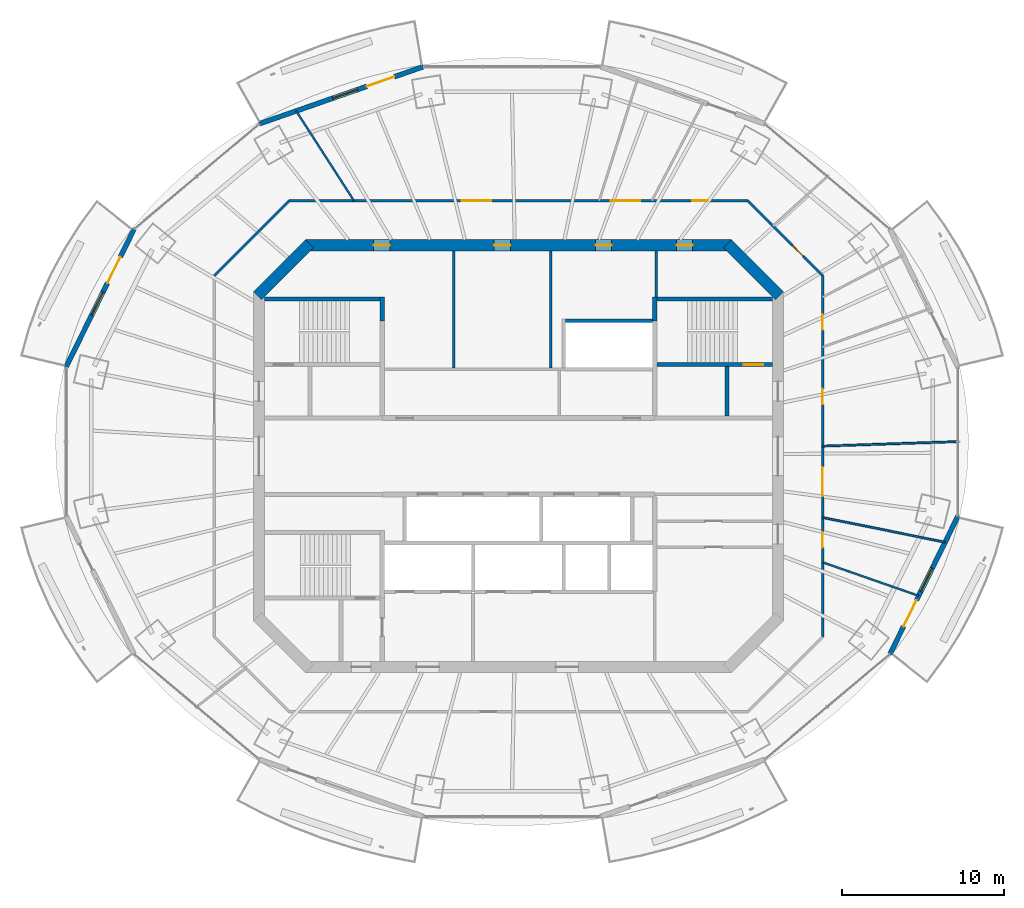
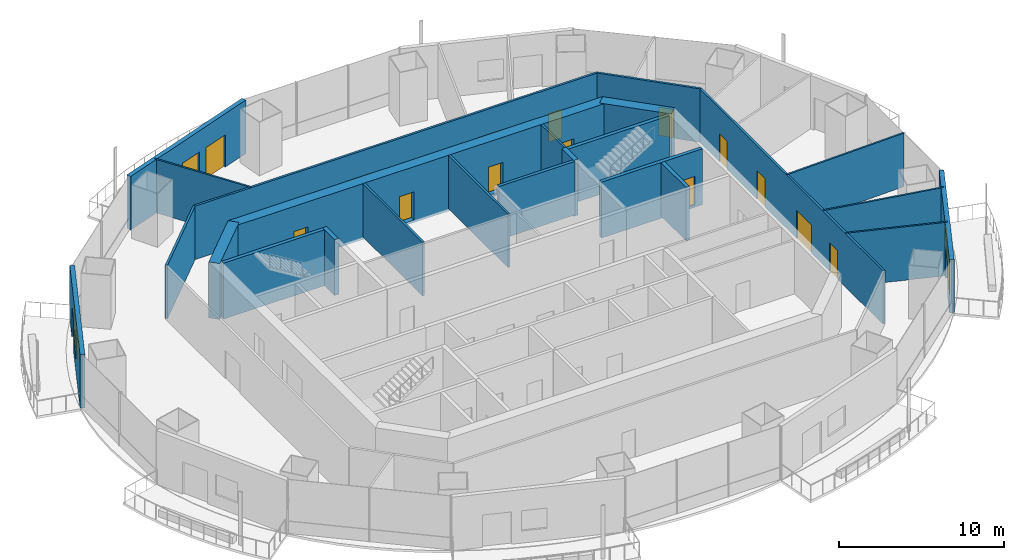
# One storey, part 10 of 16: 24 walls, 16 doors, 3 windows, 19 openings.
"""IFC4 building model written with IfcOpenShell, lengths in metres."""

from ifc_helpers import new_model, si_unit, direction, frame, frame_2d, origin, place, context, subcontext, project, spatial, rectangle, extrude, material, layer, layer_set, type_object, element, fill, save


model = new_model("IFC4")

# Units and contexts
model_context = context("Model", 3, precision=1e-05, world=origin(), true_north=direction((0.0, 1.0)))
body_context = subcontext(model_context, "Body", "Model", "MODEL_VIEW")
ifc_project = project(units=[si_unit("LENGTHUNIT", "METRE"), si_unit("AREAUNIT", "SQUARE_METRE"), si_unit("VOLUMEUNIT", "CUBIC_METRE"), si_unit("PLANEANGLEUNIT", "RADIAN"), si_unit("MASSUNIT", "GRAM", prefix="KILO")], contexts=[model_context])

# Site, building, storey
site_placement = place(None, origin())
site = spatial("IfcSite", under=ifc_project, at=site_placement, CompositionType="ELEMENT")
building_placement = place(site_placement, origin())
building = spatial("IfcBuilding", under=site, at=building_placement, Name="Marenthal Gate Tower", CompositionType="ELEMENT")
storey_placement = place(building_placement, frame((0.0, 0.0, 309.39990234375)))
storey = spatial("IfcBuildingStorey", under=building, at=storey_placement, Name="L69", CompositionType="ELEMENT", Elevation=309.39990234375)

# Wall
ifc_material_1 = material(Name="Concrete 60 MPa", Category="concrete")
ifc_layer_1 = layer(ifc_material_1, 0.699951171875)
ifc_layer_set_1 = layer_set([ifc_layer_1], Name="Core shear wall 700")
wall_type_1 = type_object("IfcWallType", Name="Core shear wall 700", PredefinedType="SHEAR", material=ifc_layer_set_1)
wall_1_placement = place(storey_placement, frame((16.1025390625, 9.8974609375, -0.179931640625), z_axis=(0.0, 0.0, 1.0), x_axis=(-0.707106781187, 0.707106781187, 0.0)))
element("IfcWall", 1, at=wall_1_placement, inside=storey, type_object=wall_type_1, Name="Core wall 03", PredefinedType="SHEAR", context=body_context, shape_type="SweptSolid", body=[
    extrude(rectangle(XDim=4.53271484375, YDim=0.699951171875, at=frame_2d((2.266357421875, 0.0))), origin(), (0.0, 0.0, 1.0), 4.150146484375),
])

# Wall, openings, doors
wall_2_placement = place(storey_placement, frame((13.14501953125, 13.0, -0.179931640625), z_axis=(0.0, 0.0, 1.0), x_axis=(-1.0, 0.0, 0.0)))
wall_2 = element("IfcWall", 2, at=wall_2_placement, inside=storey, type_object=wall_type_1, Name="Core wall 04", PredefinedType="SHEAR", context=body_context, shape_type="SweptSolid", body=[
    extrude(rectangle(XDim=26.2900390625, YDim=0.699951171875, at=frame_2d((13.14501953125, 0.0))), origin(), (0.0, 0.0, 1.0), 4.150146484375),
])
opening_1_placement = place(wall_2_placement, frame((21.07275390625, 0.0, 0.179931640625)))
opening_1 = element("IfcOpeningElement", 3, at=opening_1_placement, cuts=wall_2, Name="Opening D005.03", PredefinedType="OPENING", context=body_context, shape_type="SweptSolid", body=[
    extrude(rectangle(XDim=1.0, YDim=2.10009765625, at=frame_2d((0.5, 1.050048828125))), frame((0.0, 0.35986328125, 0.0), z_axis=(0.0, -1.0, 0.0), x_axis=(1.0, 0.0, 0.0)), (0.0, 0.0, 1.0), 0.719970703125),
])
opening_2_placement = place(wall_2_placement, frame((13.64501953125, 0.0, 0.179931640625)))
opening_2 = element("IfcOpeningElement", 4, at=opening_2_placement, cuts=wall_2, Name="Opening D005.04", PredefinedType="OPENING", context=body_context, shape_type="SweptSolid", body=[
    extrude(rectangle(XDim=1.0, YDim=2.10009765625, at=frame_2d((0.5, 1.050048828125))), frame((0.0, 0.35986328125, 0.0), z_axis=(0.0, -1.0, 0.0), x_axis=(1.0, 0.0, 0.0)), (0.0, 0.0, 1.0), 0.719970703125),
])
opening_3_placement = place(wall_2_placement, frame((7.39501953125, 0.0, 0.179931640625)))
opening_3 = element("IfcOpeningElement", 5, at=opening_3_placement, cuts=wall_2, Name="Opening D005.05", PredefinedType="OPENING", context=body_context, shape_type="SweptSolid", body=[
    extrude(rectangle(XDim=1.0, YDim=2.10009765625, at=frame_2d((0.5, 1.050048828125))), frame((0.0, 0.35986328125, 0.0), z_axis=(0.0, -1.0, 0.0), x_axis=(1.0, 0.0, 0.0)), (0.0, 0.0, 1.0), 0.719970703125),
])
opening_4_placement = place(wall_2_placement, frame((2.39990234375, 0.0, 0.179931640625)))
opening_4 = element("IfcOpeningElement", 6, at=opening_4_placement, cuts=wall_2, Name="Opening D005.06", PredefinedType="OPENING", context=body_context, shape_type="SweptSolid", body=[
    extrude(rectangle(XDim=1.0, YDim=2.10009765625, at=frame_2d((0.5, 1.050048828125))), frame((0.0, 0.35986328125, 0.0), z_axis=(0.0, -1.0, 0.0), x_axis=(1.0, 0.0, 0.0)), (0.0, 0.0, 1.0), 0.719970703125),
])
ifc_material_2 = material(Name="Steel fire door", Category="steel")
door_type_1 = type_object("IfcDoorType", Name="Fire door FD 45 1000 x 2100", OperationType="NOTDEFINED", PredefinedType="DOOR", material=ifc_material_2)
door_1_placement = place(opening_1_placement, origin())
door_1 = element("IfcDoor", 7, at=door_1_placement, inside=storey, type_object=door_type_1, Name="Door D005.03", OperationType="SINGLE_SWING_RIGHT", OverallHeight=2.10009765625, OverallWidth=1.0, PredefinedType="DOOR", context=body_context, shape_type="SweptSolid", body=[
    extrude(rectangle(XDim=1.0, YDim=2.10009765625, at=frame_2d((0.5, 1.050048828125))), frame((0.0, 0.02490234375, 0.0), z_axis=(0.0, -1.0, 0.0), x_axis=(1.0, 0.0, 0.0)), (0.0, 0.0, 1.0), 0.050048828125),
])
fill(opening_1, door_1)
door_2_placement = place(opening_2_placement, origin())
door_2 = element("IfcDoor", 8, at=door_2_placement, inside=storey, type_object=door_type_1, Name="Door D005.04", OperationType="SINGLE_SWING_RIGHT", OverallHeight=2.10009765625, OverallWidth=1.0, PredefinedType="DOOR", context=body_context, shape_type="SweptSolid", body=[
    extrude(rectangle(XDim=1.0, YDim=2.10009765625, at=frame_2d((0.5, 1.050048828125))), frame((0.0, 0.02490234375, 0.0), z_axis=(0.0, -1.0, 0.0), x_axis=(1.0, 0.0, 0.0)), (0.0, 0.0, 1.0), 0.050048828125),
])
fill(opening_2, door_2)
door_3_placement = place(opening_3_placement, origin())
door_3 = element("IfcDoor", 9, at=door_3_placement, inside=storey, type_object=door_type_1, Name="Door D005.05", OperationType="SINGLE_SWING_RIGHT", OverallHeight=2.10009765625, OverallWidth=1.0, PredefinedType="DOOR", context=body_context, shape_type="SweptSolid", body=[
    extrude(rectangle(XDim=1.0, YDim=2.10009765625, at=frame_2d((0.5, 1.050048828125))), frame((0.0, 0.02490234375, 0.0), z_axis=(0.0, -1.0, 0.0), x_axis=(1.0, 0.0, 0.0)), (0.0, 0.0, 1.0), 0.050048828125),
])
fill(opening_3, door_3)
door_4_placement = place(opening_4_placement, origin())
door_4 = element("IfcDoor", 10, at=door_4_placement, inside=storey, type_object=door_type_1, Name="Door D005.06", OperationType="SINGLE_SWING_RIGHT", OverallHeight=2.10009765625, OverallWidth=1.0, PredefinedType="DOOR", context=body_context, shape_type="SweptSolid", body=[
    extrude(rectangle(XDim=1.0, YDim=2.10009765625, at=frame_2d((0.5, 1.050048828125))), frame((0.0, 0.02490234375, 0.0), z_axis=(0.0, -1.0, 0.0), x_axis=(1.0, 0.0, 0.0)), (0.0, 0.0, 1.0), 0.050048828125),
])
fill(opening_4, door_4)

# Walls
wall_3_placement = place(storey_placement, frame((-12.8974609375, 13.1025390625, -0.179931640625), z_axis=(0.0, 0.0, 1.0), x_axis=(-0.707106781187, -0.707106781187, 0.0)))
element("IfcWall", 11, at=wall_3_placement, inside=storey, type_object=wall_type_1, Name="Core wall 05", PredefinedType="SHEAR", context=body_context, shape_type="SweptSolid", body=[
    extrude(rectangle(XDim=4.53271484375, YDim=0.699951171875, at=frame_2d((2.266357421875, 0.0))), origin(), (0.0, 0.0, 1.0), 4.150146484375),
])
ifc_material_3 = material(Name="Concrete 40 MPa", Category="concrete")
ifc_layer_2 = layer(ifc_material_3, 0.219970703125)
ifc_layer_set_2 = layer_set([ifc_layer_2], Name="Hoistway wall 220")
wall_type_2 = type_object("IfcWallType", Name="Hoistway wall 220", PredefinedType="STANDARD", material=ifc_layer_set_2)
wall_4_placement = place(storey_placement, frame((2.909912109375, 8.35009765625, 0.0), z_axis=(0.0, 0.0, 1.0), x_axis=(1.0, 0.0, 0.0)))
element("IfcWall", 12, at=wall_4_placement, inside=storey, type_object=wall_type_2, Name="Hoistway wall 26", PredefinedType="STANDARD", context=body_context, shape_type="SweptSolid", body=[
    extrude(rectangle(XDim=5.340087890625, YDim=0.219970703125, at=frame_2d((2.669921875, 0.0))), origin(), (0.0, 0.0, 1.0), 3.97021484375),
])
ifc_material_4 = material(Name="Gypsum board on steel studs", Category="steel")
ifc_layer_3 = layer(ifc_material_4, 0.1201171875)
ifc_layer_set_3 = layer_set([ifc_layer_3], Name="Partition 120")
wall_type_3 = type_object("IfcWallType", Name="Partition 120", PredefinedType="PARTITIONING", material=ifc_layer_set_3)
wall_5_placement = place(storey_placement, frame((-10.141357421875, 15.75, 0.0), z_axis=(0.0, 0.0, 1.0), x_axis=(-0.541399884667, 0.840765225781, 0.0)))
element("IfcWall", 13, at=wall_5_placement, inside=storey, type_object=wall_type_3, Name="Partition wall 57", PredefinedType="PARTITIONING", context=body_context, shape_type="SweptSolid", body=[
    extrude(rectangle(XDim=6.587890625, YDim=0.1201171875, at=frame_2d((3.2939453125, 0.0))), origin(), (0.0, 0.0, 1.0), 3.97021484375),
])
wall_6_placement = place(storey_placement, frame((18.75, -6.540283203125, 0.0), z_axis=(0.0, 0.0, 1.0), x_axis=(0.944208901131, -0.329347158824, 0.0)))
element("IfcWall", 14, at=wall_6_placement, inside=storey, type_object=wall_type_3, Name="Partition wall 64", PredefinedType="PARTITIONING", context=body_context, shape_type="SweptSolid", body=[
    extrude(rectangle(XDim=6.277099609375, YDim=0.1201171875, at=frame_2d((3.138671875, 0.0))), origin(), (0.0, 0.0, 1.0), 3.97021484375),
])
wall_7_placement = place(storey_placement, frame((18.75, -3.7783203125, 0.0), z_axis=(0.0, 0.0, 1.0), x_axis=(0.980298249201, -0.197523017933, 0.0)))
element("IfcWall", 15, at=wall_7_placement, inside=storey, type_object=wall_type_3, Name="Partition wall 65", PredefinedType="PARTITIONING", context=body_context, shape_type="SweptSolid", body=[
    extrude(rectangle(XDim=7.707763671875, YDim=0.1201171875, at=frame_2d((3.85400390625, 0.0))), origin(), (0.0, 0.0, 1.0), 3.97021484375),
])
wall_8_placement = place(storey_placement, frame((18.75, 0.622802734375, 0.0), z_axis=(0.0, 0.0, 1.0), x_axis=(0.999449182352, 0.033186320928, 0.0)))
element("IfcWall", 16, at=wall_8_placement, inside=storey, type_object=wall_type_3, Name="Partition wall 66", PredefinedType="PARTITIONING", context=body_context, shape_type="SweptSolid", body=[
    extrude(rectangle(XDim=8.349853515625, YDim=0.1201171875, at=frame_2d((4.1748046875, 0.0))), origin(), (0.0, 0.0, 1.0), 3.97021484375),
])
ifc_material_5 = material(Name="Gypsum board on steel studs", Category="steel")
ifc_layer_4 = layer(ifc_material_5, 0.14990234375)
ifc_layer_set_4 = layer_set([ifc_layer_4], Name="Partition 150")
wall_type_4 = type_object("IfcWallType", Name="Partition 150", PredefinedType="PARTITIONING", material=ifc_layer_set_4)
for number, where, z_axis, x_axis, name in (
    (17, (-4.0, 5.425048828125, 0.0), (0.0, 0.0, 1.0), (0.0, 1.0, 0.0), "Partition wall 36"),
    (18, (2.0, 5.425048828125, 0.0), (0.0, 0.0, 1.0), (0.0, 1.0, 0.0), "Partition wall 40"),
):
    element("IfcWall", number, at=place(storey_placement, frame(where, z_axis=z_axis, x_axis=x_axis)), inside=storey, type_object=wall_type_4, Name=name, PredefinedType="PARTITIONING", context=body_context, shape_type="SweptSolid", body=[
        extrude(rectangle(XDim=7.224853515625, YDim=0.14990234375, at=frame_2d((3.6123046875, 0.0))), origin(), (0.0, 0.0, 1.0), 3.97021484375),
    ])
wall_9_placement = place(storey_placement, frame((8.5, 9.824951171875, 0.0), z_axis=(0.0, 0.0, 1.0), x_axis=(0.0, 1.0, 0.0)))
element("IfcWall", 19, at=wall_9_placement, inside=storey, type_object=wall_type_4, Name="Partition wall 50", PredefinedType="PARTITIONING", context=body_context, shape_type="SweptSolid", body=[
    extrude(rectangle(XDim=2.824951171875, YDim=0.14990234375, at=frame_2d((1.41259765625, 0.0))), origin(), (0.0, 0.0, 1.0), 3.97021484375),
])
wall_10_placement = place(storey_placement, frame((-18.75, 11.13916015625, 0.0), z_axis=(0.0, 0.0, 1.0), x_axis=(0.707106781187, 0.707106781187, 0.0)))
element("IfcWall", 20, at=wall_10_placement, inside=storey, type_object=wall_type_4, Name="Partition wall 53", PredefinedType="PARTITIONING", context=body_context, shape_type="SweptSolid", body=[
    extrude(rectangle(XDim=6.520751953125, YDim=0.14990234375, at=frame_2d((3.26025390625, 0.0))), origin(), (0.0, 0.0, 1.0), 3.97021484375),
])

# Wall, openings, doors
wall_11_placement = place(storey_placement, frame((-14.13916015625, 15.75, 0.0), z_axis=(0.0, 0.0, 1.0), x_axis=(1.0, 0.0, 0.0)))
wall_11 = element("IfcWall", 21, at=wall_11_placement, inside=storey, type_object=wall_type_4, Name="Partition wall 56", PredefinedType="PARTITIONING", context=body_context, shape_type="SweptSolid", body=[
    extrude(rectangle(XDim=28.2783203125, YDim=0.14990234375, at=frame_2d((14.13916015625, 0.0))), origin(), (0.0, 0.0, 1.0), 3.97021484375),
])
opening_5_placement = place(wall_11_placement, frame((24.847900390625, 0.0, 0.0)))
opening_5 = element("IfcOpeningElement", 22, at=opening_5_placement, cuts=wall_11, Name="Opening D016.04", PredefinedType="OPENING", context=body_context, shape_type="SweptSolid", body=[
    extrude(rectangle(XDim=0.949951171875, YDim=2.10009765625, at=frame_2d((0.47509765625, 1.050048828125))), frame((0.0, 0.0849609375, 0.0), z_axis=(0.0, -1.0, 0.0), x_axis=(1.0, 0.0, 0.0)), (0.0, 0.0, 1.0), 0.169921875),
])
opening_6_placement = place(wall_11_placement, frame((19.841064453125, 0.0, 0.0)))
opening_6 = element("IfcOpeningElement", 23, at=opening_6_placement, cuts=wall_11, Name="Opening D014.01", PredefinedType="OPENING", context=body_context, shape_type="SweptSolid", body=[
    extrude(rectangle(XDim=1.800048828125, YDim=2.10009765625, at=frame_2d((0.89990234375, 1.050048828125))), frame((0.0, 0.0849609375, 0.0), z_axis=(0.0, -1.0, 0.0), x_axis=(1.0, 0.0, 0.0)), (0.0, 0.0, 1.0), 0.169921875),
])
opening_7_placement = place(wall_11_placement, frame((10.656005859375, 0.0, 0.0)))
opening_7 = element("IfcOpeningElement", 24, at=opening_7_placement, cuts=wall_11, Name="Opening D014.02", PredefinedType="OPENING", context=body_context, shape_type="SweptSolid", body=[
    extrude(rectangle(XDim=1.800048828125, YDim=2.10009765625, at=frame_2d((0.89990234375, 1.050048828125))), frame((0.0, 0.0849609375, 0.0), z_axis=(0.0, -1.0, 0.0), x_axis=(1.0, 0.0, 0.0)), (0.0, 0.0, 1.0), 0.169921875),
])
ifc_material_6 = material(Name="Timber door", Category="wood")
door_type_2 = type_object("IfcDoorType", Name="Door 950 x 2100", OperationType="NOTDEFINED", PredefinedType="DOOR", material=ifc_material_6)
door_5_placement = place(opening_5_placement, origin())
door_5 = element("IfcDoor", 25, at=door_5_placement, inside=storey, type_object=door_type_2, Name="Door D016.04", OperationType="SINGLE_SWING_RIGHT", OverallHeight=2.10009765625, OverallWidth=0.949951171875, PredefinedType="DOOR", context=body_context, shape_type="SweptSolid", body=[
    extrude(rectangle(XDim=0.949951171875, YDim=2.10009765625, at=frame_2d((0.47509765625, 1.050048828125))), frame((0.0, 0.02490234375, 0.0), z_axis=(0.0, -1.0, 0.0), x_axis=(1.0, 0.0, 0.0)), (0.0, 0.0, 1.0), 0.050048828125),
])
fill(opening_5, door_5)
ifc_material_7 = material(Name="Timber door", Category="wood")
door_type_3 = type_object("IfcDoorType", Name="Double door 1800 x 2100", OperationType="DOUBLE_DOOR_SINGLE_SWING", PredefinedType="DOOR", material=ifc_material_7)
door_6_placement = place(opening_6_placement, origin())
door_6 = element("IfcDoor", 26, at=door_6_placement, inside=storey, type_object=door_type_3, Name="Door D014.01", OperationType="DOUBLE_DOOR_SINGLE_SWING", OverallHeight=2.10009765625, OverallWidth=1.800048828125, PredefinedType="DOOR", context=body_context, shape_type="SweptSolid", body=[
    extrude(rectangle(XDim=1.800048828125, YDim=2.10009765625, at=frame_2d((0.89990234375, 1.050048828125))), frame((0.0, 0.02490234375, 0.0), z_axis=(0.0, -1.0, 0.0), x_axis=(1.0, 0.0, 0.0)), (0.0, 0.0, 1.0), 0.050048828125),
])
fill(opening_6, door_6)
door_7_placement = place(opening_7_placement, origin())
door_7 = element("IfcDoor", 27, at=door_7_placement, inside=storey, type_object=door_type_3, Name="Door D014.02", OperationType="DOUBLE_DOOR_SINGLE_SWING", OverallHeight=2.10009765625, OverallWidth=1.800048828125, PredefinedType="DOOR", context=body_context, shape_type="SweptSolid", body=[
    extrude(rectangle(XDim=1.800048828125, YDim=2.10009765625, at=frame_2d((0.89990234375, 1.050048828125))), frame((0.0, 0.02490234375, 0.0), z_axis=(0.0, -1.0, 0.0), x_axis=(1.0, 0.0, 0.0)), (0.0, 0.0, 1.0), 0.050048828125),
])
fill(opening_7, door_7)

# Wall, opening, door
wall_12_placement = place(storey_placement, frame((14.13916015625, 15.75, 0.0), z_axis=(0.0, 0.0, 1.0), x_axis=(0.707106781187, -0.707106781187, 0.0)))
wall_12 = element("IfcWall", 28, at=wall_12_placement, inside=storey, type_object=wall_type_4, Name="Partition wall 61", PredefinedType="PARTITIONING", context=body_context, shape_type="SweptSolid", body=[
    extrude(rectangle(XDim=6.520751953125, YDim=0.14990234375, at=frame_2d((3.26025390625, 0.0))), origin(), (0.0, 0.0, 1.0), 3.97021484375),
])
opening_8_placement = place(wall_12_placement, frame((3.8779296875, 0.0, 0.0)))
opening_8 = element("IfcOpeningElement", 29, at=opening_8_placement, cuts=wall_12, Name="Opening D016.03", PredefinedType="OPENING", context=body_context, shape_type="SweptSolid", body=[
    extrude(rectangle(XDim=0.949951171875, YDim=2.10009765625, at=frame_2d((0.47509765625, 1.050048828125))), frame((0.0, 0.0849609375, 0.0), z_axis=(0.0, -1.0, 0.0), x_axis=(1.0, 0.0, 0.0)), (0.0, 0.0, 1.0), 0.169921875),
])
door_8_placement = place(opening_8_placement, origin())
door_8 = element("IfcDoor", 30, at=door_8_placement, inside=storey, type_object=door_type_2, Name="Door D016.03", OperationType="SINGLE_SWING_RIGHT", OverallHeight=2.10009765625, OverallWidth=0.949951171875, PredefinedType="DOOR", context=body_context, shape_type="SweptSolid", body=[
    extrude(rectangle(XDim=0.949951171875, YDim=2.10009765625, at=frame_2d((0.47509765625, 1.050048828125))), frame((0.0, 0.02490234375, 0.0), z_axis=(0.0, -1.0, 0.0), x_axis=(1.0, 0.0, 0.0)), (0.0, 0.0, 1.0), 0.050048828125),
])
fill(opening_8, door_8)

# Wall, openings, doors
wall_13_placement = place(storey_placement, frame((18.75, 11.13916015625, 0.0), z_axis=(0.0, 0.0, 1.0), x_axis=(0.0, -1.0, 0.0)))
wall_13 = element("IfcWall", 31, at=wall_13_placement, inside=storey, type_object=wall_type_4, Name="Partition wall 69", PredefinedType="PARTITIONING", context=body_context, shape_type="SweptSolid", body=[
    extrude(rectangle(XDim=22.2783203125, YDim=0.14990234375, at=frame_2d((11.13916015625, 0.0))), origin(), (0.0, 0.0, 1.0), 3.97021484375),
])
opening_9_placement = place(wall_13_placement, frame((6.989013671875, 0.0, 0.0)))
opening_9 = element("IfcOpeningElement", 32, at=opening_9_placement, cuts=wall_13, Name="Opening D016.01", PredefinedType="OPENING", context=body_context, shape_type="SweptSolid", body=[
    extrude(rectangle(XDim=0.949951171875, YDim=2.10009765625, at=frame_2d((0.47509765625, 1.050048828125))), frame((0.0, 0.0849609375, 0.0), z_axis=(0.0, -1.0, 0.0), x_axis=(1.0, 0.0, 0.0)), (0.0, 0.0, 1.0), 0.169921875),
])
opening_10_placement = place(wall_13_placement, frame((2.39794921875, 0.0, 0.0)))
opening_10 = element("IfcOpeningElement", 33, at=opening_10_placement, cuts=wall_13, Name="Opening D016.02", PredefinedType="OPENING", context=body_context, shape_type="SweptSolid", body=[
    extrude(rectangle(XDim=0.949951171875, YDim=2.10009765625, at=frame_2d((0.47509765625, 1.050048828125))), frame((0.0, 0.0849609375, 0.0), z_axis=(0.0, -1.0, 0.0), x_axis=(1.0, 0.0, 0.0)), (0.0, 0.0, 1.0), 0.169921875),
])
opening_11_placement = place(wall_13_placement, frame((15.822998046875, 0.0, 0.0)))
opening_11 = element("IfcOpeningElement", 34, at=opening_11_placement, cuts=wall_13, Name="Opening D016.06", PredefinedType="OPENING", context=body_context, shape_type="SweptSolid", body=[
    extrude(rectangle(XDim=0.949951171875, YDim=2.10009765625, at=frame_2d((0.47509765625, 1.050048828125))), frame((0.0, 0.0849609375, 0.0), z_axis=(0.0, -1.0, 0.0), x_axis=(1.0, 0.0, 0.0)), (0.0, 0.0, 1.0), 0.169921875),
])
opening_12_placement = place(wall_13_placement, frame((11.81689453125, 0.0, 0.0)))
opening_12 = element("IfcOpeningElement", 35, at=opening_12_placement, cuts=wall_13, Name="Opening D014.04", PredefinedType="OPENING", context=body_context, shape_type="SweptSolid", body=[
    extrude(rectangle(XDim=1.800048828125, YDim=2.10009765625, at=frame_2d((0.89990234375, 1.050048828125))), frame((0.0, 0.0849609375, 0.0), z_axis=(0.0, -1.0, 0.0), x_axis=(1.0, 0.0, 0.0)), (0.0, 0.0, 1.0), 0.169921875),
])
door_9_placement = place(opening_9_placement, origin())
door_9 = element("IfcDoor", 36, at=door_9_placement, inside=storey, type_object=door_type_2, Name="Door D016.01", OperationType="SINGLE_SWING_RIGHT", OverallHeight=2.10009765625, OverallWidth=0.949951171875, PredefinedType="DOOR", context=body_context, shape_type="SweptSolid", body=[
    extrude(rectangle(XDim=0.949951171875, YDim=2.10009765625, at=frame_2d((0.47509765625, 1.050048828125))), frame((0.0, 0.02490234375, 0.0), z_axis=(0.0, -1.0, 0.0), x_axis=(1.0, 0.0, 0.0)), (0.0, 0.0, 1.0), 0.050048828125),
])
fill(opening_9, door_9)
door_10_placement = place(opening_10_placement, origin())
door_10 = element("IfcDoor", 37, at=door_10_placement, inside=storey, type_object=door_type_2, Name="Door D016.02", OperationType="SINGLE_SWING_RIGHT", OverallHeight=2.10009765625, OverallWidth=0.949951171875, PredefinedType="DOOR", context=body_context, shape_type="SweptSolid", body=[
    extrude(rectangle(XDim=0.949951171875, YDim=2.10009765625, at=frame_2d((0.47509765625, 1.050048828125))), frame((0.0, 0.02490234375, 0.0), z_axis=(0.0, -1.0, 0.0), x_axis=(1.0, 0.0, 0.0)), (0.0, 0.0, 1.0), 0.050048828125),
])
fill(opening_10, door_10)
door_11_placement = place(opening_11_placement, origin())
door_11 = element("IfcDoor", 38, at=door_11_placement, inside=storey, type_object=door_type_2, Name="Door D016.06", OperationType="SINGLE_SWING_RIGHT", OverallHeight=2.10009765625, OverallWidth=0.949951171875, PredefinedType="DOOR", context=body_context, shape_type="SweptSolid", body=[
    extrude(rectangle(XDim=0.949951171875, YDim=2.10009765625, at=frame_2d((0.47509765625, 1.050048828125))), frame((0.0, 0.02490234375, 0.0), z_axis=(0.0, -1.0, 0.0), x_axis=(1.0, 0.0, 0.0)), (0.0, 0.0, 1.0), 0.050048828125),
])
fill(opening_11, door_11)
door_12_placement = place(opening_12_placement, origin())
door_12 = element("IfcDoor", 39, at=door_12_placement, inside=storey, type_object=door_type_3, Name="Door D014.04", OperationType="DOUBLE_DOOR_SINGLE_SWING", OverallHeight=2.10009765625, OverallWidth=1.800048828125, PredefinedType="DOOR", context=body_context, shape_type="SweptSolid", body=[
    extrude(rectangle(XDim=1.800048828125, YDim=2.10009765625, at=frame_2d((0.89990234375, 1.050048828125))), frame((0.0, 0.02490234375, 0.0), z_axis=(0.0, -1.0, 0.0), x_axis=(1.0, 0.0, 0.0)), (0.0, 0.0, 1.0), 0.050048828125),
])
fill(opening_12, door_12)

# Wall
ifc_material_8 = material(Name="Concrete 40 MPa", Category="concrete")
ifc_layer_5 = layer(ifc_material_8, 0.25)
ifc_layer_set_5 = layer_set([ifc_layer_5], Name="Stair enclosure wall 250")
wall_type_5 = type_object("IfcWallType", Name="Stair enclosure wall 250", PredefinedType="STANDARD", material=ifc_layer_set_5)
wall_14_placement = place(storey_placement, frame((12.85009765625, 2.47509765625, 0.0), z_axis=(0.0, 0.0, 1.0), x_axis=(0.0, 1.0, 0.0)))
element("IfcWall", 40, at=wall_14_placement, inside=storey, type_object=wall_type_5, Name="Stair wall 51", PredefinedType="STANDARD", context=body_context, shape_type="SweptSolid", body=[
    extrude(rectangle(XDim=3.0498046875, YDim=0.25, at=frame_2d((1.52490234375, 0.0))), origin(), (0.0, 0.0, 1.0), 3.97021484375),
])

# Wall, opening, door
ifc_material_9 = material(Name="Concrete 50 MPa", Category="concrete")
ifc_layer_6 = layer(ifc_material_9, 0.25)
ifc_layer_set_6 = layer_set([ifc_layer_6], Name="Stair shear wall 250")
wall_type_6 = type_object("IfcWallType", Name="Stair shear wall 250", PredefinedType="SHEAR", material=ifc_layer_set_6)
wall_15_placement = place(storey_placement, frame((8.550048828125, 5.64990234375, -0.179931640625), z_axis=(0.0, 0.0, 1.0), x_axis=(1.0, 0.0, 0.0)))
wall_15 = element("IfcWall", 41, at=wall_15_placement, inside=storey, type_object=wall_type_6, Name="Stair wall 25", PredefinedType="SHEAR", context=body_context, shape_type="SweptSolid", body=[
    extrude(rectangle(XDim=7.099853515625, YDim=0.25, at=frame_2d((3.5498046875, 0.0))), origin(), (0.0, 0.0, 1.0), 4.150146484375),
])
opening_13_placement = place(wall_15_placement, frame((5.35009765625, 0.0, 0.179931640625)))
opening_13 = element("IfcOpeningElement", 42, at=opening_13_placement, cuts=wall_15, Name="Opening D001.02", PredefinedType="OPENING", context=body_context, shape_type="SweptSolid", body=[
    extrude(rectangle(XDim=1.199951171875, YDim=2.10009765625, at=frame_2d((0.60009765625, 1.050048828125))), frame((0.0, 0.135009765625, 0.0), z_axis=(0.0, -1.0, 0.0), x_axis=(1.0, 0.0, 0.0)), (0.0, 0.0, 1.0), 0.27001953125),
])
ifc_material_10 = material(Name="Steel fire door", Category="steel")
door_type_4 = type_object("IfcDoorType", Name="Fire door FD 90 1200 x 2100", OperationType="NOTDEFINED", PredefinedType="DOOR", material=ifc_material_10)
door_13_placement = place(opening_13_placement, origin())
door_13 = element("IfcDoor", 43, at=door_13_placement, inside=storey, type_object=door_type_4, Name="Door D001.02", OperationType="SINGLE_SWING_RIGHT", OverallHeight=2.10009765625, OverallWidth=1.199951171875, PredefinedType="DOOR", context=body_context, shape_type="SweptSolid", body=[
    extrude(rectangle(XDim=1.199951171875, YDim=2.10009765625, at=frame_2d((0.60009765625, 1.050048828125))), frame((0.0, 0.02490234375, 0.0), z_axis=(0.0, -1.0, 0.0), x_axis=(1.0, 0.0, 0.0)), (0.0, 0.0, 1.0), 0.050048828125),
])
fill(opening_13, door_13)

# Walls
for number, where, z_axis, x_axis, name in (
    (44, (-15.64990234375, 9.699951171875, -0.179931640625), (0.0, 0.0, 1.0), (1.0, 0.0, 0.0), "Stair wall 27"),
    (45, (8.550048828125, 9.699951171875, -0.179931640625), (0.0, 0.0, 1.0), (1.0, 0.0, 0.0), "Stair wall 28"),
):
    element("IfcWall", number, at=place(storey_placement, frame(where, z_axis=z_axis, x_axis=x_axis)), inside=storey, type_object=wall_type_6, Name=name, PredefinedType="SHEAR", context=body_context, shape_type="SweptSolid", body=[
        extrude(rectangle(XDim=7.099853515625, YDim=0.25, at=frame_2d((3.5498046875, 0.0))), origin(), (0.0, 0.0, 1.0), 4.150146484375),
    ])
ifc_material_11 = material(Name="Concrete 50 MPa", Category="concrete")
ifc_layer_7 = layer(ifc_material_11, 0.300048828125)
ifc_layer_set_7 = layer_set([ifc_layer_7], Name="Stair shear wall 300")
wall_type_7 = type_object("IfcWallType", Name="Stair shear wall 300", PredefinedType="SHEAR", material=ifc_layer_set_7)
for number, where, z_axis, x_axis, name in (
    (46, (-8.39990234375, 8.35009765625, -0.179931640625), (0.0, 0.0, 1.0), (0.0, 1.0, 0.0), "Stair wall 34"),
    (47, (8.39990234375, 8.35009765625, -0.179931640625), (0.0, 0.0, 1.0), (0.0, 1.0, 0.0), "Stair wall 49"),
):
    element("IfcWall", number, at=place(storey_placement, frame(where, z_axis=z_axis, x_axis=x_axis)), inside=storey, type_object=wall_type_7, Name=name, PredefinedType="SHEAR", context=body_context, shape_type="SweptSolid", body=[
        extrude(rectangle(XDim=1.474853515625, YDim=0.300048828125, at=frame_2d((0.7373046875, 0.0))), origin(), (0.0, 0.0, 1.0), 4.150146484375),
    ])

# Wall, openings, door, window
ifc_material_12 = material(Name="Terracotta cladding on insulated concrete-block backing", Category="masonry")
ifc_layer_8 = layer(ifc_material_12, 0.300048828125)
ifc_layer_set_8 = layer_set([ifc_layer_8], Name="Terracotta facade wall 300")
wall_type_8 = type_object("IfcWallType", Name="Terracotta facade wall 300", PredefinedType="SOLIDWALL", material=ifc_layer_set_8)
wall_16_placement = place(storey_placement, frame((-5.869140625, 24.01904296875, 0.0), z_axis=(0.0, 0.0, 1.0), x_axis=(-0.94436622093, -0.328895790132, 0.0)))
wall_16 = element("IfcWall", 48, at=wall_16_placement, inside=storey, type_object=wall_type_8, Name="Terracotta facade wall L69 bay 5", PredefinedType="SOLIDWALL", context=body_context, shape_type="SweptSolid", body=[
    extrude(rectangle(XDim=10.701171875, YDim=0.300048828125, at=frame_2d((5.3505859375, 0.0))), origin(), (0.0, 0.0, 1.0), 3.97021484375),
])
opening_14_placement = place(wall_16_placement, frame((1.89990234375, 0.0, 0.0)))
opening_14 = element("IfcOpeningElement", 49, at=opening_14_placement, cuts=wall_16, Name="Opening BD-L69-05", PredefinedType="OPENING", context=body_context, shape_type="SweptSolid", body=[
    extrude(rectangle(XDim=1.800048828125, YDim=2.39990234375, at=frame_2d((0.89990234375, 1.199951171875))), frame((0.0, 0.16015625, 0.0), z_axis=(0.0, -1.0, 0.0), x_axis=(1.0, 0.0, 0.0)), (0.0, 0.0, 1.0), 0.320068359375),
])
opening_15_placement = place(wall_16_placement, frame((4.300048828125, 0.0, 0.89990234375)))
opening_15 = element("IfcOpeningElement", 50, at=opening_15_placement, cuts=wall_16, Name="Opening WN3-L69-05", PredefinedType="OPENING", context=body_context, shape_type="SweptSolid", body=[
    extrude(rectangle(XDim=1.60009765625, YDim=1.5, at=frame_2d((0.800048828125, 0.75))), frame((0.0, 0.16015625, 0.0), z_axis=(0.0, -1.0, 0.0), x_axis=(1.0, 0.0, 0.0)), (0.0, 0.0, 1.0), 0.320068359375),
])
ifc_material_13 = material(Name="Aluminium and glass", Category="aluminium")
door_type_5 = type_object("IfcDoorType", Name="Balcony door 1800x2400", OperationType="DOUBLE_DOOR_SINGLE_SWING", PredefinedType="DOOR", material=ifc_material_13)
door_14_placement = place(opening_14_placement, origin())
door_14 = element("IfcDoor", 51, at=door_14_placement, inside=storey, type_object=door_type_5, Name="Balcony door L69 bay 5", OperationType="SINGLE_SWING_LEFT", OverallHeight=2.39990234375, OverallWidth=1.800048828125, PredefinedType="DOOR", context=body_context, shape_type="SweptSolid", body=[
    extrude(rectangle(XDim=1.800048828125, YDim=2.39990234375, at=frame_2d((0.89990234375, 1.199951171875))), frame((0.0, 0.02490234375, 0.0), z_axis=(0.0, -1.0, 0.0), x_axis=(1.0, 0.0, 0.0)), (0.0, 0.0, 1.0), 0.050048828125),
])
fill(opening_14, door_14)
ifc_material_14 = material(Name="Aluminium and glass", Category="aluminium")
window_type = type_object("IfcWindowType", Name="Window 1600x1500", PartitioningType="DOUBLE_PANEL_VERTICAL", PredefinedType="WINDOW", material=ifc_material_14)
window_1_placement = place(opening_15_placement, origin())
window_1 = element("IfcWindow", 52, at=window_1_placement, inside=storey, type_object=window_type, Name="Window L69 bay 5", OverallHeight=1.5, OverallWidth=1.60009765625, PartitioningType="SINGLE_PANEL", PredefinedType="WINDOW", context=body_context, shape_type="SweptSolid", body=[
    extrude(rectangle(XDim=1.60009765625, YDim=1.5, at=frame_2d((0.800048828125, 0.75))), frame((0.0, 0.030029296875, 0.0), z_axis=(0.0, -1.0, 0.0), x_axis=(1.0, 0.0, 0.0)), (0.0, 0.0, 1.0), 0.06005859375),
])
fill(opening_15, window_1)

wall_17_placement = place(storey_placement, frame((-23.70947265625, 13.995849609375, 0.0), z_axis=(0.0, 0.0, 1.0), x_axis=(-0.441906476931, -0.89706112704, 0.0)))
wall_17 = element("IfcWall", 53, at=wall_17_placement, inside=storey, type_object=wall_type_8, Name="Terracotta facade wall L69 bay 7", PredefinedType="SOLIDWALL", context=body_context, shape_type="SweptSolid", body=[
    extrude(rectangle(XDim=9.47216796875, YDim=0.300048828125, at=frame_2d((4.736083984375, 0.0))), origin(), (0.0, 0.0, 1.0), 3.97021484375),
])
opening_16_placement = place(wall_17_placement, frame((1.89990234375, 0.0, 0.0)))
opening_16 = element("IfcOpeningElement", 54, at=opening_16_placement, cuts=wall_17, Name="Opening BD-L69-07", PredefinedType="OPENING", context=body_context, shape_type="SweptSolid", body=[
    extrude(rectangle(XDim=1.800048828125, YDim=2.39990234375, at=frame_2d((0.89990234375, 1.199951171875))), frame((0.0, 0.16015625, 0.0), z_axis=(0.0, -1.0, 0.0), x_axis=(1.0, 0.0, 0.0)), (0.0, 0.0, 1.0), 0.320068359375),
])
opening_17_placement = place(wall_17_placement, frame((4.300048828125, 0.0, 0.89990234375)))
opening_17 = element("IfcOpeningElement", 55, at=opening_17_placement, cuts=wall_17, Name="Opening WN3-L69-07", PredefinedType="OPENING", context=body_context, shape_type="SweptSolid", body=[
    extrude(rectangle(XDim=1.60009765625, YDim=1.5, at=frame_2d((0.800048828125, 0.75))), frame((0.0, 0.16015625, 0.0), z_axis=(0.0, -1.0, 0.0), x_axis=(1.0, 0.0, 0.0)), (0.0, 0.0, 1.0), 0.320068359375),
])
door_15_placement = place(opening_16_placement, origin())
door_15 = element("IfcDoor", 56, at=door_15_placement, inside=storey, type_object=door_type_5, Name="Balcony door L69 bay 7", OperationType="SINGLE_SWING_LEFT", OverallHeight=2.39990234375, OverallWidth=1.800048828125, PredefinedType="DOOR", context=body_context, shape_type="SweptSolid", body=[
    extrude(rectangle(XDim=1.800048828125, YDim=2.39990234375, at=frame_2d((0.89990234375, 1.199951171875))), frame((0.0, 0.02490234375, 0.0), z_axis=(0.0, -1.0, 0.0), x_axis=(1.0, 0.0, 0.0)), (0.0, 0.0, 1.0), 0.050048828125),
])
fill(opening_16, door_15)
window_2_placement = place(opening_17_placement, origin())
window_2 = element("IfcWindow", 57, at=window_2_placement, inside=storey, type_object=window_type, Name="Window L69 bay 7", OverallHeight=1.5, OverallWidth=1.60009765625, PartitioningType="SINGLE_PANEL", PredefinedType="WINDOW", context=body_context, shape_type="SweptSolid", body=[
    extrude(rectangle(XDim=1.60009765625, YDim=1.5, at=frame_2d((0.800048828125, 0.75))), frame((0.0, 0.030029296875, 0.0), z_axis=(0.0, -1.0, 0.0), x_axis=(1.0, 0.0, 0.0)), (0.0, 0.0, 1.0), 0.06005859375),
])
fill(opening_17, window_2)

wall_18_placement = place(storey_placement, frame((22.909423828125, -12.19580078125, 0.0), z_axis=(0.0, 0.0, 1.0), x_axis=(0.441906476931, 0.89706112704, 0.0)))
wall_18 = element("IfcWall", 58, at=wall_18_placement, inside=storey, type_object=wall_type_8, Name="Terracotta facade wall L69 bay 15", PredefinedType="SOLIDWALL", context=body_context, shape_type="SweptSolid", body=[
    extrude(rectangle(XDim=9.47216796875, YDim=0.300048828125, at=frame_2d((4.736083984375, 0.0))), origin(), (0.0, 0.0, 1.0), 3.97021484375),
])
opening_18_placement = place(wall_18_placement, frame((1.89990234375, 0.0, 0.0)))
opening_18 = element("IfcOpeningElement", 59, at=opening_18_placement, cuts=wall_18, Name="Opening BD-L69-15", PredefinedType="OPENING", context=body_context, shape_type="SweptSolid", body=[
    extrude(rectangle(XDim=1.800048828125, YDim=2.39990234375, at=frame_2d((0.89990234375, 1.199951171875))), frame((0.0, 0.16015625, 0.0), z_axis=(0.0, -1.0, 0.0), x_axis=(1.0, 0.0, 0.0)), (0.0, 0.0, 1.0), 0.320068359375),
])
opening_19_placement = place(wall_18_placement, frame((4.300048828125, 0.0, 0.89990234375)))
opening_19 = element("IfcOpeningElement", 60, at=opening_19_placement, cuts=wall_18, Name="Opening WN3-L69-15", PredefinedType="OPENING", context=body_context, shape_type="SweptSolid", body=[
    extrude(rectangle(XDim=1.60009765625, YDim=1.5, at=frame_2d((0.800048828125, 0.75))), frame((0.0, 0.16015625, 0.0), z_axis=(0.0, -1.0, 0.0), x_axis=(1.0, 0.0, 0.0)), (0.0, 0.0, 1.0), 0.320068359375),
])
door_16_placement = place(opening_18_placement, origin())
door_16 = element("IfcDoor", 61, at=door_16_placement, inside=storey, type_object=door_type_5, Name="Balcony door L69 bay 15", OperationType="SINGLE_SWING_LEFT", OverallHeight=2.39990234375, OverallWidth=1.800048828125, PredefinedType="DOOR", context=body_context, shape_type="SweptSolid", body=[
    extrude(rectangle(XDim=1.800048828125, YDim=2.39990234375, at=frame_2d((0.89990234375, 1.199951171875))), frame((0.0, 0.02490234375, 0.0), z_axis=(0.0, -1.0, 0.0), x_axis=(1.0, 0.0, 0.0)), (0.0, 0.0, 1.0), 0.050048828125),
])
fill(opening_18, door_16)
window_3_placement = place(opening_19_placement, origin())
window_3 = element("IfcWindow", 62, at=window_3_placement, inside=storey, type_object=window_type, Name="Window L69 bay 15", OverallHeight=1.5, OverallWidth=1.60009765625, PartitioningType="SINGLE_PANEL", PredefinedType="WINDOW", context=body_context, shape_type="SweptSolid", body=[
    extrude(rectangle(XDim=1.60009765625, YDim=1.5, at=frame_2d((0.800048828125, 0.75))), frame((0.0, 0.030029296875, 0.0), z_axis=(0.0, -1.0, 0.0), x_axis=(1.0, 0.0, 0.0)), (0.0, 0.0, 1.0), 0.06005859375),
])
fill(opening_19, window_3)

save(model, "model.ifc")
